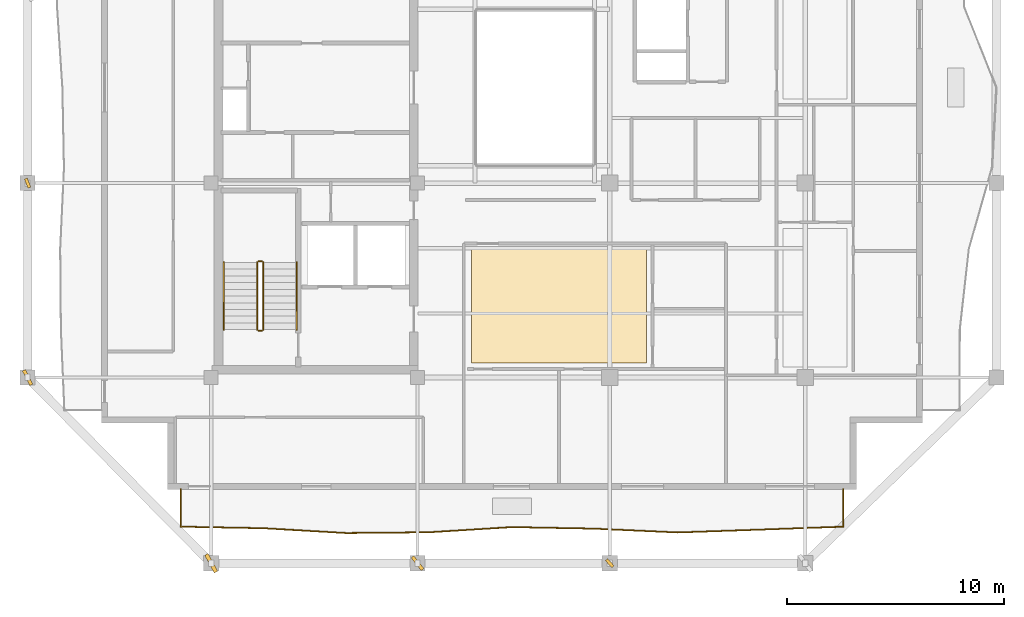
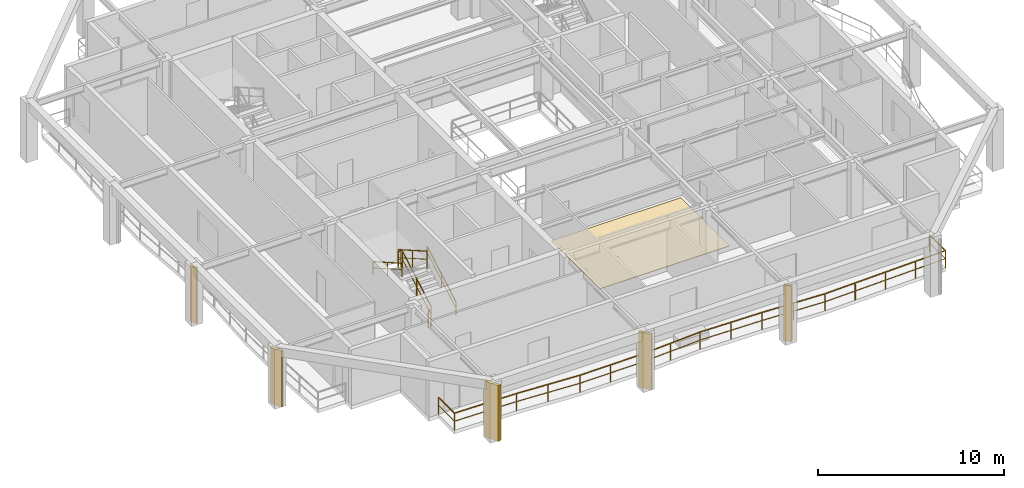
# One storey, part 7 of 10: 7 railings, 5 shading devices, 1 covering.
"""IFC4 building model written with IfcOpenShell, lengths in metres."""

from ifc_helpers import new_model, si_unit, direction, frame, origin, origin_2d, place, context, subcontext, project, spatial, polyline, rectangle, outline, extrude, material, layer, layer_set, type_object, element, save


model = new_model("IFC4")

# Units and contexts
model_context = context("Model", 3, precision=1e-05, world=origin(), true_north=direction((0.0, 1.0)))
body_context = subcontext(model_context, "Body", "Model", "MODEL_VIEW")
ifc_project = project(units=[si_unit("LENGTHUNIT", "METRE"), si_unit("AREAUNIT", "SQUARE_METRE"), si_unit("VOLUMEUNIT", "CUBIC_METRE"), si_unit("PLANEANGLEUNIT", "RADIAN"), si_unit("MASSUNIT", "GRAM", prefix="KILO")], contexts=[model_context])

# Site, building, storey
site_placement = place(None, origin())
site = spatial("IfcSite", under=ifc_project, at=site_placement, CompositionType="ELEMENT")
building_placement = place(site_placement, origin())
building = spatial("IfcBuilding", under=site, at=building_placement, Name="Kundavana Baori Tower", CompositionType="ELEMENT")
storey_placement = place(building_placement, frame((0.0, 0.0, 276.5)))
storey = spatial("IfcBuildingStorey", under=building, at=storey_placement, Name="L68", CompositionType="ELEMENT", Elevation=276.5)

# Covering
ifc_material_1 = material(Name="Honed Kota Stone and Terrazzo Flooring", Category="masonry")
ifc_layer = layer(ifc_material_1, 0.0400390625, Name="COV-FLR-TERR-40")
ifc_layer_set = layer_set([ifc_layer], Name="Honed Kota Stone and Terrazzo Flooring")
covering_type = type_object("IfcCoveringType", Name="COV-FLR-TERR-40", PredefinedType="FLOORING", material=ifc_layer_set)
covering_placement = place(storey_placement, origin())
element("IfcCovering", 1, at=covering_placement, inside=storey, type_object=covering_type, Name="L68 Room Finished Stone Flooring 1", PredefinedType="FLOORING", context=body_context, shape_type="SweptSolid", body=[
    extrude(outline(polyline([(27.43994140625, 15.919921875), (35.489990234375, 15.919921875), (35.489990234375, 21.139892578125), (27.43994140625, 21.139892578125), (27.43994140625, 15.919921875)])), origin(), (0.0, 0.0, 1.0), 0.0400390625),
])

# Railings
ifc_material_2 = material(Name="Architectural Patinated Bronze Metalwork")
railing_type_1 = type_object("IfcRailingType", Name="RL-BAL-1150", PredefinedType="BALUSTRADE", material=ifc_material_2)
railing_1_placement = place(storey_placement, frame((44.550048828125, 10.10009765625, 0.0)))
element("IfcRailing", 2, at=railing_1_placement, inside=storey, type_object=railing_type_1, Name="L68 Loggia Balcony Balustrade S", PredefinedType="BALUSTRADE", context=body_context, shape_type="SweptSolid", body=[
    extrude(rectangle(XDim=0.048095703125, YDim=0.048095703125, at=origin_2d()), frame((0.0, 0.0, 1.1259765625), z_axis=(0.0, -1.0, 0.0), x_axis=(1.0, 0.0, 0.0)), (0.0, 0.0, 1.0), 1.72021484375),
    extrude(rectangle(XDim=0.03125, YDim=0.03125, at=origin_2d()), frame((0.0, 0.0, 0.597900390625), z_axis=(0.0, -1.0, 0.0), x_axis=(1.0, 0.0, 0.0)), (0.0, 0.0, 1.0), 1.72021484375),
    extrude(rectangle(XDim=0.048095703125, YDim=0.048095703125, at=origin_2d()), frame((0.0, -1.72021484375, 1.1259765625), z_axis=(-0.99936464638, -0.035641318225, 0.0), x_axis=(0.035641318225, -0.99936464638, 0.0)), (0.0, 0.0, 1.0), 3.8154296875),
    extrude(rectangle(XDim=0.03125, YDim=0.03125, at=origin_2d()), frame((0.0, -1.72021484375, 0.597900390625), z_axis=(-0.99936464638, -0.035641318225, 0.0), x_axis=(0.035641318225, -0.99936464638, 0.0)), (0.0, 0.0, 1.0), 3.8154296875),
    extrude(rectangle(XDim=0.048095703125, YDim=0.048095703125, at=origin_2d()), frame((-3.81298828125, -1.856201171875, 1.1259765625), z_axis=(-0.999420054757, -0.034052226792, 0.0), x_axis=(0.034052226792, -0.999420054757, 0.0)), (0.0, 0.0, 1.0), 3.814208984375),
    extrude(rectangle(XDim=0.03125, YDim=0.03125, at=origin_2d()), frame((-3.81298828125, -1.856201171875, 0.597900390625), z_axis=(-0.999420054757, -0.034052226792, 0.0), x_axis=(0.034052226792, -0.999420054757, 0.0)), (0.0, 0.0, 1.0), 3.814208984375),
    extrude(rectangle(XDim=0.048095703125, YDim=0.048095703125, at=origin_2d()), frame((-7.625, -1.986083984375, 1.1259765625), z_axis=(-0.998959552851, 0.045604953335, 0.0), x_axis=(-0.045604953335, -0.998959552851, 0.0)), (0.0, 0.0, 1.0), 3.81689453125),
    extrude(rectangle(XDim=0.03125, YDim=0.03125, at=origin_2d()), frame((-7.625, -1.986083984375, 0.597900390625), z_axis=(-0.998959552851, 0.045604953335, 0.0), x_axis=(-0.045604953335, -0.998959552851, 0.0)), (0.0, 0.0, 1.0), 3.81689453125),
    extrude(rectangle(XDim=0.048095703125, YDim=0.048095703125, at=origin_2d()), frame((-11.43798828125, -1.81201171875, 1.1259765625), z_axis=(-0.999821569358, 0.01888992974, 0.0), x_axis=(-0.01888992974, -0.999821569358, 0.0)), (0.0, 0.0, 1.0), 3.812744140625),
    extrude(rectangle(XDim=0.03125, YDim=0.03125, at=origin_2d()), frame((-11.43798828125, -1.81201171875, 0.597900390625), z_axis=(-0.999821569358, 0.01888992974, 0.0), x_axis=(-0.01888992974, -0.999821569358, 0.0)), (0.0, 0.0, 1.0), 3.812744140625),
    extrude(rectangle(XDim=0.048095703125, YDim=0.048095703125, at=origin_2d()), frame((-15.25, -1.739990234375, 1.1259765625), z_axis=(-0.998072915179, -0.062052042556, 0.0), x_axis=(0.062052042556, -0.998072915179, 0.0)), (0.0, 0.0, 1.0), 3.8203125),
    extrude(rectangle(XDim=0.03125, YDim=0.03125, at=origin_2d()), frame((-15.25, -1.739990234375, 0.597900390625), z_axis=(-0.998072915179, -0.062052042556, 0.0), x_axis=(0.062052042556, -0.998072915179, 0.0)), (0.0, 0.0, 1.0), 3.8203125),
    extrude(rectangle(XDim=0.048095703125, YDim=0.048095703125, at=origin_2d()), frame((-19.06298828125, -1.97705078125, 1.1259765625), z_axis=(-0.999955080406, -0.009478247208, 0.0), x_axis=(0.009478247208, -0.999955080406, 0.0)), (0.0, 0.0, 1.0), 3.812255859375),
    extrude(rectangle(XDim=0.03125, YDim=0.03125, at=origin_2d()), frame((-19.06298828125, -1.97705078125, 0.597900390625), z_axis=(-0.999955080406, -0.009478247208, 0.0), x_axis=(0.009478247208, -0.999955080406, 0.0)), (0.0, 0.0, 1.0), 3.812255859375),
    extrude(rectangle(XDim=0.048095703125, YDim=0.048095703125, at=origin_2d()), frame((-22.875, -2.01318359375, 1.1259765625), z_axis=(-0.998320797492, 0.057927414021, 0.0), x_axis=(-0.057927414021, -0.998320797492, 0.0)), (0.0, 0.0, 1.0), 3.818359375),
    extrude(rectangle(XDim=0.03125, YDim=0.03125, at=origin_2d()), frame((-22.875, -2.01318359375, 0.597900390625), z_axis=(-0.998320797492, 0.057927414021, 0.0), x_axis=(-0.057927414021, -0.998320797492, 0.0)), (0.0, 0.0, 1.0), 3.818359375),
    extrude(rectangle(XDim=0.048095703125, YDim=0.048095703125, at=origin_2d()), frame((-26.68701171875, -1.7919921875, 1.1259765625), z_axis=(-0.99982286743, 0.018821098926, 0.0), x_axis=(-0.018821098926, -0.99982286743, 0.0)), (0.0, 0.0, 1.0), 3.813720703125),
    extrude(rectangle(XDim=0.03125, YDim=0.03125, at=origin_2d()), frame((-26.68701171875, -1.7919921875, 0.597900390625), z_axis=(-0.99982286743, 0.018821098926, 0.0), x_axis=(-0.018821098926, -0.99982286743, 0.0)), (0.0, 0.0, 1.0), 3.813720703125),
    extrude(rectangle(XDim=0.048095703125, YDim=0.048095703125, at=origin_2d()), frame((-30.5, -1.72021484375, 1.1259765625), z_axis=(0.0, 1.0, 0.0), x_axis=(-1.0, 0.0, 0.0)), (0.0, 0.0, 1.0), 1.72021484375),
    extrude(rectangle(XDim=0.03125, YDim=0.03125, at=origin_2d()), frame((-30.5, -1.72021484375, 0.597900390625), z_axis=(0.0, 1.0, 0.0), x_axis=(-1.0, 0.0, 0.0)), (0.0, 0.0, 1.0), 1.72021484375),
    extrude(rectangle(XDim=0.0419921875, YDim=0.0419921875, at=origin_2d()), origin(), (0.0, 0.0, 1.0), 1.101806640625),
    extrude(rectangle(XDim=0.0419921875, YDim=0.0419921875, at=origin_2d()), frame((0.0, -1.72021484375, 0.0)), (0.0, 0.0, 1.0), 1.101806640625),
    extrude(rectangle(XDim=0.0419921875, YDim=0.0419921875, at=origin_2d()), frame((-1.906494140625, -1.7880859375, 0.0)), (0.0, 0.0, 1.0), 1.101806640625),
    extrude(rectangle(XDim=0.0419921875, YDim=0.0419921875, at=origin_2d()), frame((-3.81298828125, -1.856201171875, 0.0)), (0.0, 0.0, 1.0), 1.101806640625),
    extrude(rectangle(XDim=0.0419921875, YDim=0.0419921875, at=origin_2d()), frame((-5.718994140625, -1.921142578125, 0.0)), (0.0, 0.0, 1.0), 1.101806640625),
    extrude(rectangle(XDim=0.0419921875, YDim=0.0419921875, at=origin_2d()), frame((-7.625, -1.986083984375, 0.0)), (0.0, 0.0, 1.0), 1.101806640625),
    extrude(rectangle(XDim=0.0419921875, YDim=0.0419921875, at=origin_2d()), frame((-9.531494140625, -1.89892578125, 0.0)), (0.0, 0.0, 1.0), 1.101806640625),
    extrude(rectangle(XDim=0.0419921875, YDim=0.0419921875, at=origin_2d()), frame((-11.43798828125, -1.81201171875, 0.0)), (0.0, 0.0, 1.0), 1.101806640625),
    extrude(rectangle(XDim=0.0419921875, YDim=0.0419921875, at=origin_2d()), frame((-13.343994140625, -1.77587890625, 0.0)), (0.0, 0.0, 1.0), 1.101806640625),
    extrude(rectangle(XDim=0.0419921875, YDim=0.0419921875, at=origin_2d()), frame((-15.25, -1.739990234375, 0.0)), (0.0, 0.0, 1.0), 1.101806640625),
    extrude(rectangle(XDim=0.0419921875, YDim=0.0419921875, at=origin_2d()), frame((-17.156494140625, -1.8583984375, 0.0)), (0.0, 0.0, 1.0), 1.101806640625),
    extrude(rectangle(XDim=0.0419921875, YDim=0.0419921875, at=origin_2d()), frame((-19.06298828125, -1.97705078125, 0.0)), (0.0, 0.0, 1.0), 1.101806640625),
    extrude(rectangle(XDim=0.0419921875, YDim=0.0419921875, at=origin_2d()), frame((-20.968994140625, -1.9951171875, 0.0)), (0.0, 0.0, 1.0), 1.101806640625),
    extrude(rectangle(XDim=0.0419921875, YDim=0.0419921875, at=origin_2d()), frame((-22.875, -2.01318359375, 0.0)), (0.0, 0.0, 1.0), 1.101806640625),
    extrude(rectangle(XDim=0.0419921875, YDim=0.0419921875, at=origin_2d()), frame((-24.781005859375, -1.902587890625, 0.0)), (0.0, 0.0, 1.0), 1.101806640625),
    extrude(rectangle(XDim=0.0419921875, YDim=0.0419921875, at=origin_2d()), frame((-26.68701171875, -1.7919921875, 0.0)), (0.0, 0.0, 1.0), 1.101806640625),
    extrude(rectangle(XDim=0.0419921875, YDim=0.0419921875, at=origin_2d()), frame((-28.593505859375, -1.756103515625, 0.0)), (0.0, 0.0, 1.0), 1.101806640625),
    extrude(rectangle(XDim=0.0419921875, YDim=0.0419921875, at=origin_2d()), frame((-30.5, -1.72021484375, 0.0)), (0.0, 0.0, 1.0), 1.101806640625),
    extrude(rectangle(XDim=0.0419921875, YDim=0.0419921875, at=origin_2d()), frame((-30.5, 0.0, 0.0)), (0.0, 0.0, 1.0), 1.101806640625),
])
ifc_material_3 = material(Name="Architectural Patinated Bronze Metalwork")
railing_type_2 = type_object("IfcRailingType", Name="RL-GRD-1150", PredefinedType="GUARDRAIL", material=ifc_material_3)
railing_2_placement = place(storey_placement, frame((17.840087890625, 17.449951171875, 0.17724609375)))
element("IfcRailing", 3, at=railing_2_placement, inside=storey, type_object=railing_type_2, Name="L68 ST1 stair guard 1", PredefinedType="GUARDRAIL", context=body_context, shape_type="SweptSolid", body=[
    extrude(rectangle(XDim=0.048095703125, YDim=0.048095703125, at=origin_2d()), frame((0.0, 0.0, 1.1259765625), z_axis=(0.0, 0.868095856688, 0.496396599103), x_axis=(-1.0, 0.0, 0.0)), (0.0, 0.0, 1.0), 3.571044921875),
    extrude(rectangle(XDim=0.03125, YDim=0.03125, at=origin_2d()), frame((0.0, 0.0, 0.597900390625), z_axis=(0.0, 0.868095856688, 0.496396599103), x_axis=(-1.0, 0.0, 0.0)), (0.0, 0.0, 1.0), 3.571044921875),
    extrude(rectangle(XDim=0.0419921875, YDim=0.0419921875, at=origin_2d()), origin(), (0.0, 0.0, 1.0), 1.101806640625),
    extrude(rectangle(XDim=0.0419921875, YDim=0.0419921875, at=origin_2d()), frame((0.0, 1.550048828125, 0.88623046875)), (0.0, 0.0, 1.0), 1.101806640625),
    extrude(rectangle(XDim=0.0419921875, YDim=0.0419921875, at=origin_2d()), frame((0.0, 3.10009765625, 1.772705078125)), (0.0, 0.0, 1.0), 1.101806640625),
])
railing_3_placement = place(storey_placement, frame((17.7900390625, 20.60009765625, 1.949951171875)))
element("IfcRailing", 4, at=railing_3_placement, inside=storey, type_object=railing_type_2, Name="L68 ST1 stair guard 2", PredefinedType="GUARDRAIL", context=body_context, shape_type="SweptSolid", body=[
    extrude(rectangle(XDim=0.048095703125, YDim=0.048095703125, at=origin_2d()), frame((0.0, 0.0, 1.1259765625), z_axis=(-1.0, 0.0, 0.0), x_axis=(0.0, -1.0, 0.0)), (0.0, 0.0, 1.0), 0.16015625),
    extrude(rectangle(XDim=0.03125, YDim=0.03125, at=origin_2d()), frame((0.0, 0.0, 0.597900390625), z_axis=(-1.0, 0.0, 0.0), x_axis=(0.0, -1.0, 0.0)), (0.0, 0.0, 1.0), 0.16015625),
    extrude(rectangle(XDim=0.0419921875, YDim=0.0419921875, at=origin_2d()), origin(), (0.0, 0.0, 1.0), 1.101806640625),
    extrude(rectangle(XDim=0.0419921875, YDim=0.0419921875, at=origin_2d()), frame((-0.16015625, 0.0, 0.0)), (0.0, 0.0, 1.0), 1.101806640625),
])
railing_4_placement = place(storey_placement, frame((17.580078125, 20.550048828125, 2.127197265625)))
element("IfcRailing", 5, at=railing_4_placement, inside=storey, type_object=railing_type_2, Name="L68 ST1 stair guard 3", PredefinedType="GUARDRAIL", context=body_context, shape_type="SweptSolid", body=[
    extrude(rectangle(XDim=0.048095703125, YDim=0.048095703125, at=origin_2d()), frame((0.0, 0.0, 1.1259765625), z_axis=(0.0, -0.868095856688, 0.496396599103), x_axis=(1.0, 0.0, 0.0)), (0.0, 0.0, 1.0), 3.571044921875),
    extrude(rectangle(XDim=0.03125, YDim=0.03125, at=origin_2d()), frame((0.0, 0.0, 0.597900390625), z_axis=(0.0, -0.868095856688, 0.496396599103), x_axis=(1.0, 0.0, 0.0)), (0.0, 0.0, 1.0), 3.571044921875),
    extrude(rectangle(XDim=0.0419921875, YDim=0.0419921875, at=origin_2d()), origin(), (0.0, 0.0, 1.0), 1.101806640625),
    extrude(rectangle(XDim=0.0419921875, YDim=0.0419921875, at=origin_2d()), frame((0.0, -1.550048828125, 0.88623046875)), (0.0, 0.0, 1.0), 1.101806640625),
    extrude(rectangle(XDim=0.0419921875, YDim=0.0419921875, at=origin_2d()), frame((0.0, -3.10009765625, 1.772705078125)), (0.0, 0.0, 1.0), 1.101806640625),
])
railing_5_placement = place(storey_placement, frame((17.7900390625, 17.39990234375, 0.0)))
element("IfcRailing", 6, at=railing_5_placement, inside=storey, type_object=railing_type_2, Name="L68 ST1 stair guard 4", PredefinedType="GUARDRAIL", context=body_context, shape_type="SweptSolid", body=[
    extrude(rectangle(XDim=0.048095703125, YDim=0.048095703125, at=origin_2d()), frame((0.0, 0.0, 1.1259765625), z_axis=(-1.0, 0.0, 0.0), x_axis=(0.0, -1.0, 0.0)), (0.0, 0.0, 1.0), 0.16015625),
    extrude(rectangle(XDim=0.03125, YDim=0.03125, at=origin_2d()), frame((0.0, 0.0, 0.597900390625), z_axis=(-1.0, 0.0, 0.0), x_axis=(0.0, -1.0, 0.0)), (0.0, 0.0, 1.0), 0.16015625),
    extrude(rectangle(XDim=0.0419921875, YDim=0.0419921875, at=origin_2d()), origin(), (0.0, 0.0, 1.0), 1.101806640625),
    extrude(rectangle(XDim=0.0419921875, YDim=0.0419921875, at=origin_2d()), frame((-0.16015625, 0.0, 0.0)), (0.0, 0.0, 1.0), 1.101806640625),
])
ifc_material_4 = material(Name="Architectural Patinated Bronze Metalwork")
railing_type_3 = type_object("IfcRailingType", Name="RL-HND-920", PredefinedType="HANDRAIL", material=ifc_material_4)
railing_6_placement = place(storey_placement, frame((19.389892578125, 17.449951171875, 0.17724609375)))
element("IfcRailing", 7, at=railing_6_placement, inside=storey, type_object=railing_type_3, Name="L68 ST1 stair handrail 1", PredefinedType="HANDRAIL", context=body_context, shape_type="SweptSolid", body=[
    extrude(rectangle(XDim=0.048095703125, YDim=0.048095703125, at=origin_2d()), frame((0.0, 0.0, 0.8759765625), z_axis=(0.0, 0.868095856688, 0.496396599103), x_axis=(-1.0, 0.0, 0.0)), (0.0, 0.0, 1.0), 3.571044921875),
    extrude(rectangle(XDim=0.03125, YDim=0.03125, at=origin_2d()), frame((0.0, 0.0, 0.468017578125), z_axis=(0.0, 0.868095856688, 0.496396599103), x_axis=(-1.0, 0.0, 0.0)), (0.0, 0.0, 1.0), 3.571044921875),
    extrude(rectangle(XDim=0.0419921875, YDim=0.0419921875, at=origin_2d()), origin(), (0.0, 0.0, 1.0), 0.851806640625),
    extrude(rectangle(XDim=0.0419921875, YDim=0.0419921875, at=origin_2d()), frame((0.0, 1.550048828125, 0.88623046875)), (0.0, 0.0, 1.0), 0.851806640625),
    extrude(rectangle(XDim=0.0419921875, YDim=0.0419921875, at=origin_2d()), frame((0.0, 3.10009765625, 1.772705078125)), (0.0, 0.0, 1.0), 0.851806640625),
])
railing_7_placement = place(storey_placement, frame((16.030029296875, 20.550048828125, 2.127197265625)))
element("IfcRailing", 8, at=railing_7_placement, inside=storey, type_object=railing_type_3, Name="L68 ST1 stair handrail 2", PredefinedType="HANDRAIL", context=body_context, shape_type="SweptSolid", body=[
    extrude(rectangle(XDim=0.048095703125, YDim=0.048095703125, at=origin_2d()), frame((0.0, 0.0, 0.8759765625), z_axis=(0.0, -0.868095856688, 0.496396599103), x_axis=(1.0, 0.0, 0.0)), (0.0, 0.0, 1.0), 3.571044921875),
    extrude(rectangle(XDim=0.03125, YDim=0.03125, at=origin_2d()), frame((0.0, 0.0, 0.468017578125), z_axis=(0.0, -0.868095856688, 0.496396599103), x_axis=(1.0, 0.0, 0.0)), (0.0, 0.0, 1.0), 3.571044921875),
    extrude(rectangle(XDim=0.0419921875, YDim=0.0419921875, at=origin_2d()), origin(), (0.0, 0.0, 1.0), 0.851806640625),
    extrude(rectangle(XDim=0.0419921875, YDim=0.0419921875, at=origin_2d()), frame((0.0, -1.550048828125, 0.88623046875)), (0.0, 0.0, 1.0), 0.851806640625),
    extrude(rectangle(XDim=0.0419921875, YDim=0.0419921875, at=origin_2d()), frame((0.0, -3.10009765625, 1.772705078125)), (0.0, 0.0, 1.0), 0.851806640625),
])

# Shading devices
ifc_material_5 = material(Name="Red-Buff Dholpur Sandstone Cladding on Concrete C40/50", Category="masonry")
shading_device_type_1 = type_object("IfcShadingDeviceType", Name="SHD-FIN-750", PredefinedType="JALOUSIE", material=ifc_material_5)
for number, where, z_axis, x_axis, name in (
    (9, (24.949951171875, 6.699951171875, 0.0), (0.0, 0.0, 1.0), (0.785964813832, 0.618271228037, 0.0), "L68 Sweeping Dholpur Sandstone Facade Fin 2"),
    (10, (7.0, 15.25, 0.0), (0.0, 0.0, 1.0), (0.891164942482, 0.453679452137, 0.0), "L68 Sweeping Dholpur Sandstone Facade Fin 5"),
):
    element("IfcShadingDevice", number, at=place(storey_placement, frame(where, z_axis=z_axis, x_axis=x_axis)), inside=storey, type_object=shading_device_type_1, Name=name, PredefinedType="JALOUSIE", context=body_context, shape_type="SweptSolid", body=[
        extrude(rectangle(XDim=0.159912109375, YDim=0.75, at=origin_2d()), origin(), (0.0, 0.0, 1.0), 3.659912109375),
    ])
ifc_material_6 = material(Name="Red-Buff Dholpur Sandstone Cladding on Concrete C40/50", Category="masonry")
shading_device_type_2 = type_object("IfcShadingDeviceType", Name="SHD-FIN-920", PredefinedType="JALOUSIE", material=ifc_material_6)
shading_device_placement = place(storey_placement, frame((15.449951171875, 6.699951171875, 0.0), z_axis=(0.0, 0.0, 1.0), x_axis=(0.876894599045, 0.480682704252, 0.0)))
element("IfcShadingDevice", 11, at=shading_device_placement, inside=storey, type_object=shading_device_type_2, Name="L68 Sweeping Dholpur Sandstone Facade Fin 1", PredefinedType="JALOUSIE", context=body_context, shape_type="SweptSolid", body=[
    extrude(rectangle(XDim=0.179931640625, YDim=0.919921875, at=origin_2d()), origin(), (0.0, 0.0, 1.0), 3.659912109375),
])
ifc_material_7 = material(Name="Architectural Patinated Bronze Metalwork")
shading_device_type_3 = type_object("IfcShadingDeviceType", Name="SHD-LOUV-450", PredefinedType="SHUTTER", material=ifc_material_7)
for number, where, z_axis, x_axis, name in (
    (12, (33.800048828125, 6.699951171875, 0.0), (0.0, 0.0, 1.0), (0.743728469045, 0.668481835454, 0.0), "L68 Sweeping Dholpur Sandstone Facade Fin 3"),
    (13, (7.0, 24.199951171875, 0.0), (0.0, 0.0, 1.0), (0.927118459261, 0.37476841182, 0.0), "L68 Sweeping Dholpur Sandstone Facade Fin 6"),
):
    element("IfcShadingDevice", number, at=place(storey_placement, frame(where, z_axis=z_axis, x_axis=x_axis)), inside=storey, type_object=shading_device_type_3, Name=name, PredefinedType="SHUTTER", context=body_context, shape_type="SweptSolid", body=[
        extrude(rectangle(XDim=0.139892578125, YDim=0.449951171875, at=origin_2d()), origin(), (0.0, 0.0, 1.0), 3.659912109375),
    ])

save(model, "model.ifc")
